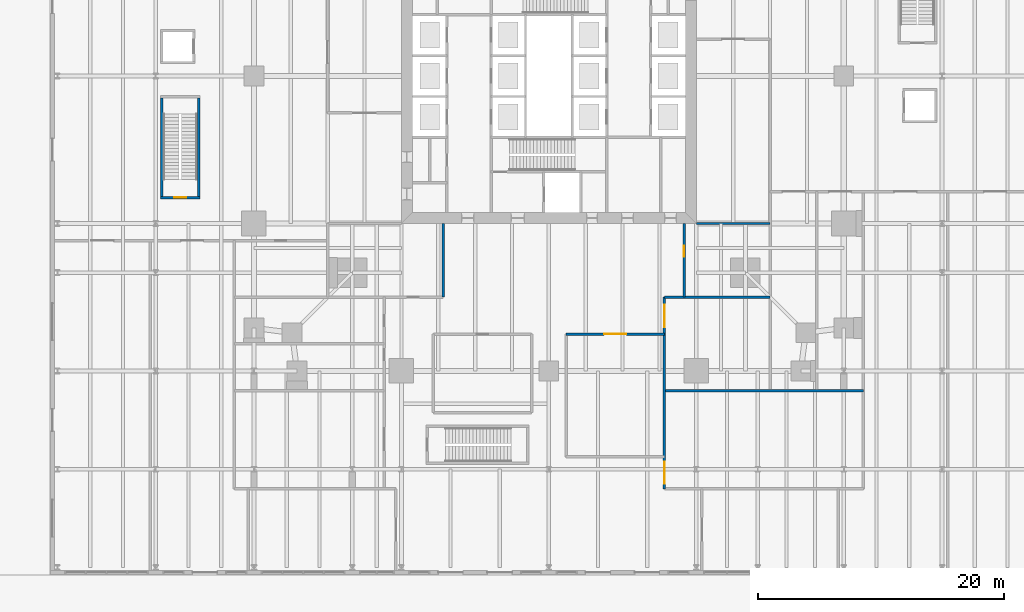
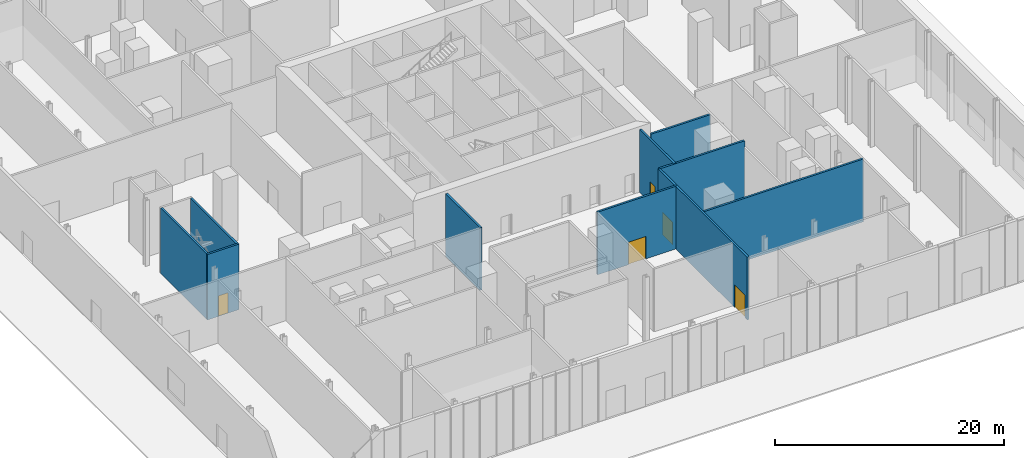
# One storey, part 12 of 20: 10 walls, 5 doors, 5 openings.
"""IFC4 building model written with IfcOpenShell, lengths in metres."""

from ifc_helpers import new_model, si_unit, direction, frame, frame_2d, origin, place, context, subcontext, project, spatial, rectangle, extrude, material, layer, layer_set, type_object, element, fill, save


model = new_model("IFC4")

# Units and contexts
model_context = context("Model", 3, precision=1e-05, world=origin(), true_north=direction((0.0, 1.0)))
body_context = subcontext(model_context, "Body", "Model", "MODEL_VIEW")
ifc_project = project(units=[si_unit("LENGTHUNIT", "METRE"), si_unit("AREAUNIT", "SQUARE_METRE"), si_unit("VOLUMEUNIT", "CUBIC_METRE"), si_unit("PLANEANGLEUNIT", "RADIAN"), si_unit("MASSUNIT", "GRAM", prefix="KILO")], contexts=[model_context])

# Site, building, storey
site_placement = place(None, origin())
site = spatial("IfcSite", under=ifc_project, at=site_placement, CompositionType="ELEMENT")
building_placement = place(site_placement, origin())
building = spatial("IfcBuilding", under=site, at=building_placement, Name="Fenwick Lantern Interchange", CompositionType="ELEMENT")
storey_placement = place(building_placement, origin())
storey = spatial("IfcBuildingStorey", under=building, at=storey_placement, Name="L00", CompositionType="ELEMENT", Elevation=0.0)

# Wall
ifc_material_1 = material(Name="Gypsum board on steel studs, 1 hour", Category="steel")
ifc_layer_1 = layer(ifc_material_1, 0.199951171875)
ifc_layer_set_1 = layer_set([ifc_layer_1], Name="ROOM WALL 200")
wall_type_1 = type_object("IfcWallType", Name="ROOM WALL 200", PredefinedType="PARTITIONING", material=ifc_layer_set_1)
wall_1_placement = place(storey_placement, frame((16.39990234375, 7.0, 0.0), z_axis=(0.0, 0.0, 1.0), x_axis=(0.0, 1.0, 0.0)))
element("IfcWall", 1, at=wall_1_placement, inside=storey, type_object=wall_type_1, Name="L00/W/POD/X16.4-1", PredefinedType="PARTITIONING", context=body_context, shape_type="SweptSolid", body=[
    extrude(rectangle(XDim=6.0, YDim=0.199951171875, at=frame_2d((3.0, 0.0))), origin(), (0.0, 0.0, 1.0), 6.699951171875),
])

# Wall, openings, doors
wall_2_placement = place(storey_placement, frame((34.39990234375, -8.60009765625, 0.0), z_axis=(0.0, 0.0, 1.0), x_axis=(0.0, 1.0, 0.0)))
wall_2 = element("IfcWall", 2, at=wall_2_placement, inside=storey, type_object=wall_type_1, Name="L00/W/POD/X34.4-1", PredefinedType="PARTITIONING", context=body_context, shape_type="SweptSolid", body=[
    extrude(rectangle(XDim=15.60009765625, YDim=0.199951171875, at=frame_2d((7.800048828125, 0.0))), origin(), (0.0, 0.0, 1.0), 6.699951171875),
])
opening_1_placement = place(wall_2_placement, frame((0.425048828125, 0.0, 0.0)))
opening_1 = element("IfcOpeningElement", 3, at=opening_1_placement, cuts=wall_2, Name="Opening L00-D047", PredefinedType="OPENING", context=body_context, shape_type="SweptSolid", body=[
    extrude(rectangle(XDim=1.800048828125, YDim=2.39990234375, at=frame_2d((0.89990234375, 1.199951171875))), frame((0.0, 0.10986328125, 0.0), z_axis=(0.0, -1.0, 0.0), x_axis=(1.0, 0.0, 0.0)), (0.0, 0.0, 1.0), 0.219970703125),
])
opening_2_placement = place(wall_2_placement, frame((13.175048828125, 0.0, 0.0)))
opening_2 = element("IfcOpeningElement", 4, at=opening_2_placement, cuts=wall_2, Name="Opening L00-D048", PredefinedType="OPENING", context=body_context, shape_type="SweptSolid", body=[
    extrude(rectangle(XDim=1.800048828125, YDim=2.39990234375, at=frame_2d((0.89990234375, 1.199951171875))), frame((0.0, 0.10986328125, 0.0), z_axis=(0.0, -1.0, 0.0), x_axis=(1.0, 0.0, 0.0)), (0.0, 0.0, 1.0), 0.219970703125),
])
ifc_material_2 = material(Name="Steel door and frame", Category="steel")
door_type_1 = type_object("IfcDoorType", Name="ROOM DOOR PAIR 1800 X 2400", OperationType="DOUBLE_DOOR_SINGLE_SWING", PredefinedType="DOOR", material=ifc_material_2)
door_1_placement = place(opening_1_placement, origin())
door_1 = element("IfcDoor", 5, at=door_1_placement, inside=storey, type_object=door_type_1, Name="Room door pair", OperationType="DOUBLE_DOOR_SINGLE_SWING", OverallHeight=2.39990234375, OverallWidth=1.800048828125, PredefinedType="DOOR", context=body_context, shape_type="SweptSolid", body=[
    extrude(rectangle(XDim=1.800048828125, YDim=2.39990234375, at=frame_2d((0.89990234375, 1.199951171875))), frame((0.0, 0.02490234375, 0.0), z_axis=(0.0, -1.0, 0.0), x_axis=(1.0, 0.0, 0.0)), (0.0, 0.0, 1.0), 0.050048828125),
])
fill(opening_1, door_1)
door_2_placement = place(opening_2_placement, origin())
door_2 = element("IfcDoor", 6, at=door_2_placement, inside=storey, type_object=door_type_1, Name="Room door pair", OperationType="DOUBLE_DOOR_SINGLE_SWING", OverallHeight=2.39990234375, OverallWidth=1.800048828125, PredefinedType="DOOR", context=body_context, shape_type="SweptSolid", body=[
    extrude(rectangle(XDim=1.800048828125, YDim=2.39990234375, at=frame_2d((0.89990234375, 1.199951171875))), frame((0.0, 0.02490234375, 0.0), z_axis=(0.0, -1.0, 0.0), x_axis=(1.0, 0.0, 0.0)), (0.0, 0.0, 1.0), 0.050048828125),
])
fill(opening_2, door_2)

# Wall, opening, door
wall_3_placement = place(storey_placement, frame((36.0, 7.0, 0.0), z_axis=(0.0, 0.0, 1.0), x_axis=(0.0, 1.0, 0.0)))
wall_3 = element("IfcWall", 7, at=wall_3_placement, inside=storey, type_object=wall_type_1, Name="L00/W/POD/X36-1", PredefinedType="PARTITIONING", context=body_context, shape_type="SweptSolid", body=[
    extrude(rectangle(XDim=6.0, YDim=0.199951171875, at=frame_2d((3.0, 0.0))), origin(), (0.0, 0.0, 1.0), 6.699951171875),
])
opening_3_placement = place(wall_3_placement, frame((3.300048828125, 0.0, 0.0)))
opening_3 = element("IfcOpeningElement", 8, at=opening_3_placement, cuts=wall_3, Name="Opening L00-D069", PredefinedType="OPENING", context=body_context, shape_type="SweptSolid", body=[
    extrude(rectangle(XDim=0.89990234375, YDim=2.199951171875, at=frame_2d((0.449951171875, 1.10009765625))), frame((0.0, 0.10986328125, 0.0), z_axis=(0.0, -1.0, 0.0), x_axis=(1.0, 0.0, 0.0)), (0.0, 0.0, 1.0), 0.219970703125),
])
ifc_material_3 = material(Name="Hardwood door and steel frame", Category="steel")
door_type_2 = type_object("IfcDoorType", Name="OFFICE DOOR 900 X 2200", OperationType="SINGLE_SWING_LEFT", PredefinedType="DOOR", material=ifc_material_3)
door_3_placement = place(opening_3_placement, origin())
door_3 = element("IfcDoor", 9, at=door_3_placement, inside=storey, type_object=door_type_2, Name="Office door", OperationType="SINGLE_SWING_RIGHT", OverallHeight=2.199951171875, OverallWidth=0.89990234375, PredefinedType="DOOR", context=body_context, shape_type="SweptSolid", body=[
    extrude(rectangle(XDim=0.89990234375, YDim=2.199951171875, at=frame_2d((0.449951171875, 1.10009765625))), frame((0.0, 0.02490234375, 0.0), z_axis=(0.0, -1.0, 0.0), x_axis=(1.0, 0.0, 0.0)), (0.0, 0.0, 1.0), 0.050048828125),
])
fill(opening_3, door_3)

# Wall
wall_4_placement = place(storey_placement, frame((34.39990234375, -0.60009765625, 0.0), z_axis=(0.0, 0.0, 1.0), x_axis=(1.0, 0.0, 0.0)))
element("IfcWall", 10, at=wall_4_placement, inside=storey, type_object=wall_type_1, Name="L00/W/POD/Y-0.6-2", PredefinedType="PARTITIONING", context=body_context, shape_type="SweptSolid", body=[
    extrude(rectangle(XDim=16.2001953125, YDim=0.199951171875, at=frame_2d((8.10009765625, 0.0))), origin(), (0.0, 0.0, 1.0), 6.699951171875),
])

# Wall, opening, door
wall_5_placement = place(storey_placement, frame((26.39990234375, 4.0, 0.0), z_axis=(0.0, 0.0, 1.0), x_axis=(1.0, 0.0, 0.0)))
wall_5 = element("IfcWall", 11, at=wall_5_placement, inside=storey, type_object=wall_type_1, Name="L00/W/POD/Y4-2", PredefinedType="PARTITIONING", context=body_context, shape_type="SweptSolid", body=[
    extrude(rectangle(XDim=8.0, YDim=0.199951171875, at=frame_2d((4.0, 0.0))), origin(), (0.0, 0.0, 1.0), 6.699951171875),
])
opening_4_placement = place(wall_5_placement, frame((3.10009765625, 0.0, 0.0)))
opening_4 = element("IfcOpeningElement", 12, at=opening_4_placement, cuts=wall_5, Name="Opening L00-D072", PredefinedType="OPENING", context=body_context, shape_type="SweptSolid", body=[
    extrude(rectangle(XDim=1.800048828125, YDim=2.39990234375, at=frame_2d((0.89990234375, 1.199951171875))), frame((0.0, 0.10986328125, 0.0), z_axis=(0.0, -1.0, 0.0), x_axis=(1.0, 0.0, 0.0)), (0.0, 0.0, 1.0), 0.219970703125),
])
door_4_placement = place(opening_4_placement, origin())
door_4 = element("IfcDoor", 13, at=door_4_placement, inside=storey, type_object=door_type_1, Name="Room door pair", OperationType="DOUBLE_DOOR_SINGLE_SWING", OverallHeight=2.39990234375, OverallWidth=1.800048828125, PredefinedType="DOOR", context=body_context, shape_type="SweptSolid", body=[
    extrude(rectangle(XDim=1.800048828125, YDim=2.39990234375, at=frame_2d((0.89990234375, 1.199951171875))), frame((0.0, 0.02490234375, 0.0), z_axis=(0.0, -1.0, 0.0), x_axis=(1.0, 0.0, 0.0)), (0.0, 0.0, 1.0), 0.050048828125),
])
fill(opening_4, door_4)

# Walls
wall_6_placement = place(storey_placement, frame((34.39990234375, 7.0, 0.0), z_axis=(0.0, 0.0, 1.0), x_axis=(1.0, 0.0, 0.0)))
element("IfcWall", 14, at=wall_6_placement, inside=storey, type_object=wall_type_1, Name="L00/W/POD/Y7-2", PredefinedType="PARTITIONING", context=body_context, shape_type="SweptSolid", body=[
    extrude(rectangle(XDim=8.60009765625, YDim=0.199951171875, at=frame_2d((4.300048828125, 0.0))), origin(), (0.0, 0.0, 1.0), 6.699951171875),
])
wall_7_placement = place(storey_placement, frame((37.0, 13.0, 0.0), z_axis=(0.0, 0.0, 1.0), x_axis=(1.0, 0.0, 0.0)))
element("IfcWall", 15, at=wall_7_placement, inside=storey, type_object=wall_type_1, Name="L00/W/POD/Y13-2", PredefinedType="PARTITIONING", context=body_context, shape_type="SweptSolid", body=[
    extrude(rectangle(XDim=6.0, YDim=0.199951171875, at=frame_2d((3.0, 0.0))), origin(), (0.0, 0.0, 1.0), 5.8525390625),
])

# Wall, opening, door
ifc_material_4 = material(Name="Reinforced concrete masonry ASTM C90 Grade N", Category="masonry")
ifc_layer_2 = layer(ifc_material_4, 0.199951171875)
ifc_layer_set_2 = layer_set([ifc_layer_2], Name="Reinforced concrete masonry ASTM C90 Grade N")
wall_type_2 = type_object("IfcWallType", Name="STAIR ENCLOSURE 200", PredefinedType="SOLIDWALL", material=ifc_layer_set_2)
wall_8_placement = place(storey_placement, frame((-6.60009765625, 15.10009765625, 0.0), z_axis=(0.0, 0.0, 1.0), x_axis=(1.0, 0.0, 0.0)))
wall_8 = element("IfcWall", 16, at=wall_8_placement, inside=storey, type_object=wall_type_2, Name="L00/W/PS3/S", PredefinedType="SOLIDWALL", context=body_context, shape_type="SweptSolid", body=[
    extrude(rectangle(XDim=3.2001953125, YDim=0.199951171875, at=frame_2d((1.60009765625, 0.0))), origin(), (0.0, 0.0, 1.0), 7.0),
])
opening_5_placement = place(wall_8_placement, frame((1.10009765625, 0.0, 0.0)))
opening_5 = element("IfcOpeningElement", 17, at=opening_5_placement, cuts=wall_8, Name="Opening L00-D037", PredefinedType="OPENING", context=body_context, shape_type="SweptSolid", body=[
    extrude(rectangle(XDim=1.0, YDim=2.199951171875, at=frame_2d((0.5, 1.10009765625))), frame((0.0, 0.10986328125, 0.0), z_axis=(0.0, -1.0, 0.0), x_axis=(1.0, 0.0, 0.0)), (0.0, 0.0, 1.0), 0.219970703125),
])
door_type_3 = type_object("IfcDoorType", Name="STAIR DOOR 1000 X 2200", OperationType="SINGLE_SWING_LEFT", PredefinedType="DOOR", material=ifc_material_2)
door_5_placement = place(opening_5_placement, frame((1.0, 0.0, 0.0), z_axis=(0.0, 0.0, 1.0), x_axis=(-1.0, 0.0, 0.0)))
door_5 = element("IfcDoor", 18, at=door_5_placement, inside=storey, type_object=door_type_3, Name="Stair door", OperationType="SINGLE_SWING_RIGHT", OverallHeight=2.199951171875, OverallWidth=1.0, PredefinedType="DOOR", context=body_context, shape_type="SweptSolid", body=[
    extrude(rectangle(XDim=1.0, YDim=2.199951171875, at=frame_2d((0.5, 1.10009765625))), frame((0.0, 0.02490234375, 0.0), z_axis=(0.0, -1.0, 0.0), x_axis=(1.0, 0.0, 0.0)), (0.0, 0.0, 1.0), 0.050048828125),
])
fill(opening_5, door_5)

# Walls
for number, where, z_axis, x_axis, name in (
    (19, (-3.5, 15.199951171875, 0.0), (0.0, 0.0, 1.0), (0.0, 1.0, 0.0), "L00/W/PS3/E"),
    (20, (-6.5, 23.199951171875, 0.0), (0.0, 0.0, 1.0), (0.0, -1.0, 0.0), "L00/W/PS3/W"),
):
    element("IfcWall", number, at=place(storey_placement, frame(where, z_axis=z_axis, x_axis=x_axis)), inside=storey, type_object=wall_type_2, Name=name, PredefinedType="SOLIDWALL", context=body_context, shape_type="SweptSolid", body=[
        extrude(rectangle(XDim=8.0, YDim=0.199951171875, at=frame_2d((4.0, 0.0))), origin(), (0.0, 0.0, 1.0), 7.0),
    ])

save(model, "model.ifc")
